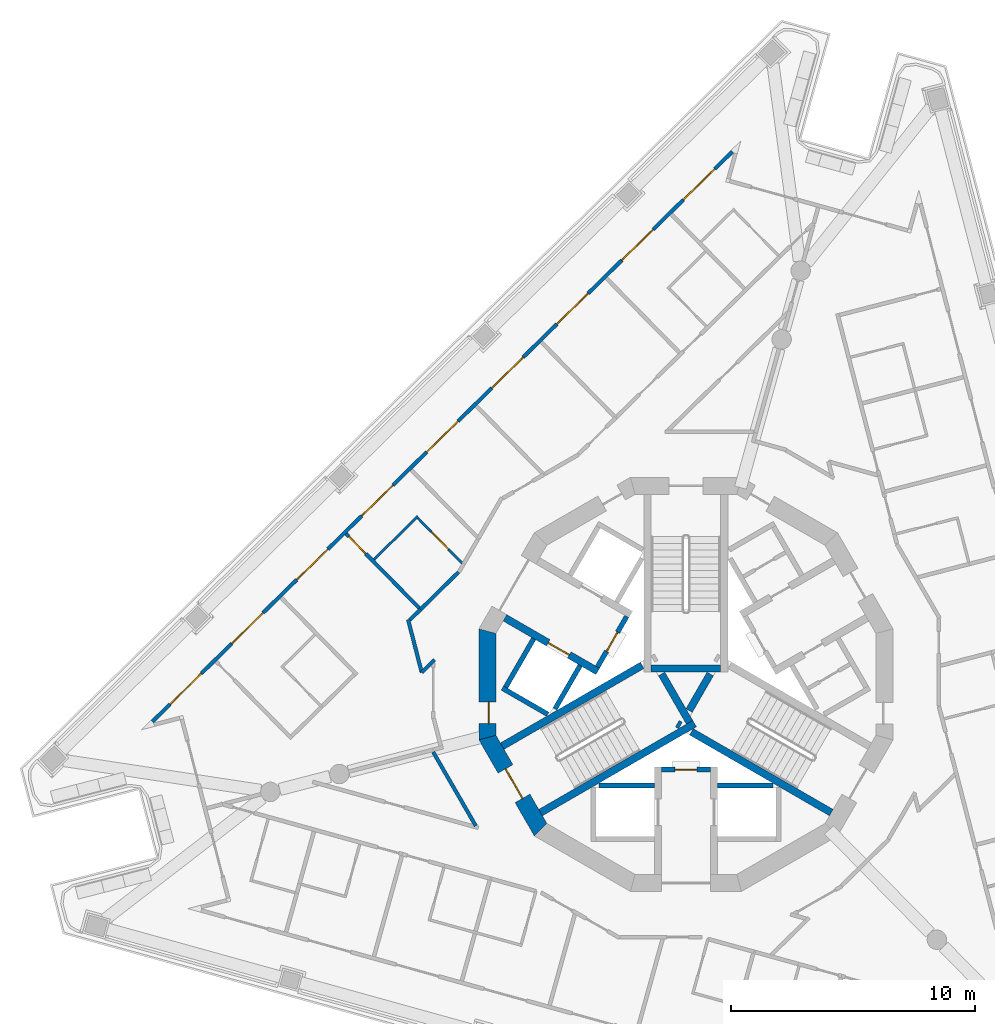
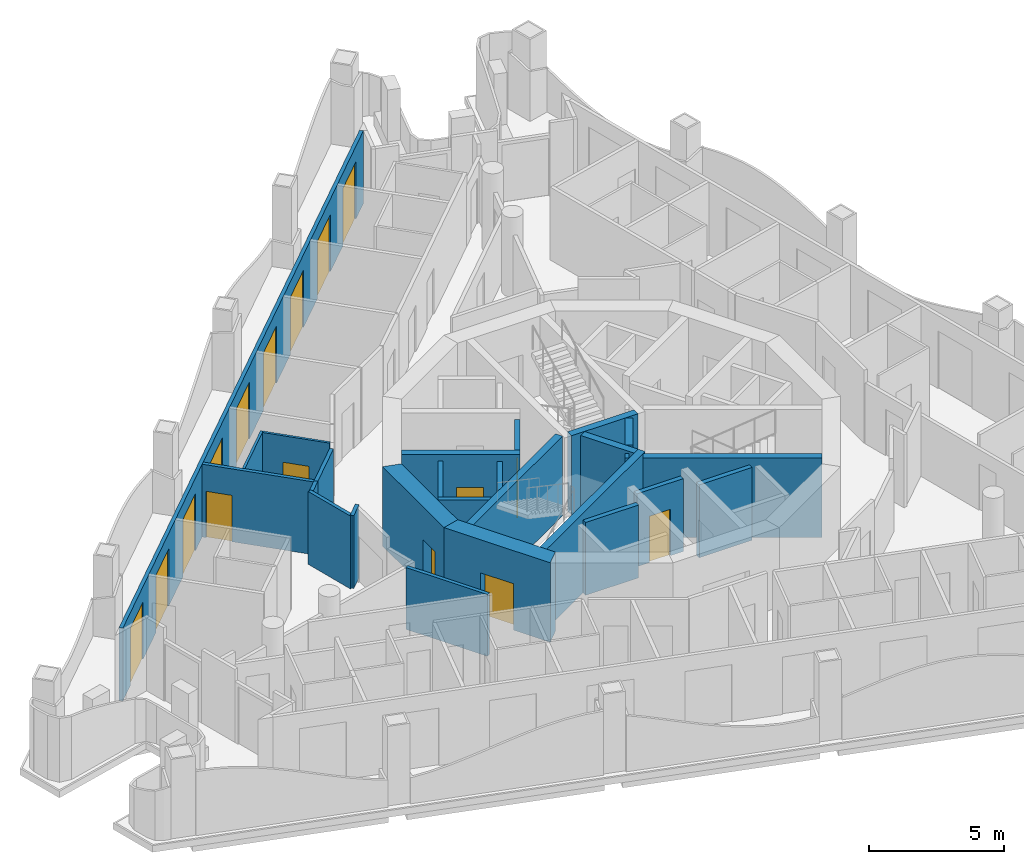
# One storey, part 4 of 15: 26 walls, 16 doors, 16 openings.
"""IFC4 building model written with IfcOpenShell, lengths in metres."""

from ifc_helpers import new_model, si_unit, direction, frame, frame_2d, origin, place, context, subcontext, project, spatial, polyline, rectangle, outline, extrude, material, layer, layer_set, type_object, element, fill, save


model = new_model("IFC4")

# Units and contexts
model_context = context("Model", 3, precision=1e-05, world=origin(), true_north=direction((0.0, 1.0)))
body_context = subcontext(model_context, "Body", "Model", "MODEL_VIEW")
ifc_project = project(units=[si_unit("LENGTHUNIT", "METRE"), si_unit("AREAUNIT", "SQUARE_METRE"), si_unit("VOLUMEUNIT", "CUBIC_METRE"), si_unit("PLANEANGLEUNIT", "RADIAN"), si_unit("MASSUNIT", "GRAM", prefix="KILO")], contexts=[model_context])

# Site, building, storey
site_placement = place(None, origin())
site = spatial("IfcSite", under=ifc_project, at=site_placement, CompositionType="ELEMENT")
building_placement = place(site_placement, origin())
building = spatial("IfcBuilding", under=site, at=building_placement, Name="Trine Commons Tower", CompositionType="ELEMENT")
storey_placement = place(building_placement, frame((0.0, 0.0, 256.5)))
storey = spatial("IfcBuildingStorey", under=building, at=storey_placement, Name="L67", CompositionType="ELEMENT", Elevation=256.5)

# Wall, openings, doors
ifc_material_1 = material(Name="Aluminium-framed insulated wall panel", Category="aluminium")
ifc_layer_1 = layer(ifc_material_1, 0.14990234375)
ifc_layer_set_1 = layer_set([ifc_layer_1], Name="Aluminium-framed insulated wall panel")
wall_type_1 = type_object("IfcWallType", Name="Glazed frame wall 150, EI 60", PredefinedType="SOLIDWALL", material=ifc_layer_set_1)
wall_1_placement = place(storey_placement, frame((57.98974609375, 60.867431640625, 0.0), z_axis=(0.0, 0.0, 1.0), x_axis=(0.713254682671, 0.700904956216, 0.0)))
wall_1 = element("IfcWall", 1, at=wall_1_placement, inside=storey, type_object=wall_type_1, Name="Glazed frame wall F1", PredefinedType="SOLIDWALL", context=body_context, shape_type="SweptSolid", body=[
    extrude(outline(polyline([(0.1494140625, 0.074951171875), (0.1494140625, -0.074951171875), (33.536865234375, -0.074951171875), (33.536865234375, 0.074951171875), (0.1494140625, 0.074951171875)])), origin(), (0.0, 0.0, 1.0), 3.300048828125),
])
opening_1_placement = place(wall_1_placement, frame((1.17138671875, 0.0, 0.0)))
opening_1 = element("IfcOpeningElement", 2, at=opening_1_placement, cuts=wall_1, Name="Opening BD-7F1-01", PredefinedType="OPENING", context=body_context, shape_type="SweptSolid", body=[
    extrude(rectangle(XDim=1.800048828125, YDim=2.60009765625, at=frame_2d((0.89990234375, 1.300048828125))), frame((0.0, 0.0849609375, 0.0), z_axis=(0.0, -1.0, 0.0), x_axis=(1.0, 0.0, 0.0)), (0.0, 0.0, 1.0), 0.169921875),
])
opening_2_placement = place(wall_1_placement, frame((4.71435546875, 0.0, 0.0)))
opening_2 = element("IfcOpeningElement", 3, at=opening_2_placement, cuts=wall_1, Name="Opening BD-7F1-02", PredefinedType="OPENING", context=body_context, shape_type="SweptSolid", body=[
    extrude(rectangle(XDim=1.800048828125, YDim=2.60009765625, at=frame_2d((0.89990234375, 1.300048828125))), frame((0.0, 0.0849609375, 0.0), z_axis=(0.0, -1.0, 0.0), x_axis=(1.0, 0.0, 0.0)), (0.0, 0.0, 1.0), 0.169921875),
])
opening_3_placement = place(wall_1_placement, frame((8.457275390625, 0.0, 0.0)))
opening_3 = element("IfcOpeningElement", 4, at=opening_3_placement, cuts=wall_1, Name="Opening BD-7F1-03", PredefinedType="OPENING", context=body_context, shape_type="SweptSolid", body=[
    extrude(rectangle(XDim=1.800048828125, YDim=2.60009765625, at=frame_2d((0.89990234375, 1.300048828125))), frame((0.0, 0.0849609375, 0.0), z_axis=(0.0, -1.0, 0.0), x_axis=(1.0, 0.0, 0.0)), (0.0, 0.0, 1.0), 0.169921875),
])
opening_4_placement = place(wall_1_placement, frame((12.2001953125, 0.0, 0.0)))
opening_4 = element("IfcOpeningElement", 5, at=opening_4_placement, cuts=wall_1, Name="Opening BD-7F1-04", PredefinedType="OPENING", context=body_context, shape_type="SweptSolid", body=[
    extrude(rectangle(XDim=1.800048828125, YDim=2.60009765625, at=frame_2d((0.89990234375, 1.300048828125))), frame((0.0, 0.0849609375, 0.0), z_axis=(0.0, -1.0, 0.0), x_axis=(1.0, 0.0, 0.0)), (0.0, 0.0, 1.0), 0.169921875),
])
opening_5_placement = place(wall_1_placement, frame((15.943115234375, 0.0, 0.0)))
opening_5 = element("IfcOpeningElement", 6, at=opening_5_placement, cuts=wall_1, Name="Opening BD-7F1-05", PredefinedType="OPENING", context=body_context, shape_type="SweptSolid", body=[
    extrude(rectangle(XDim=1.800048828125, YDim=2.60009765625, at=frame_2d((0.89990234375, 1.300048828125))), frame((0.0, 0.0849609375, 0.0), z_axis=(0.0, -1.0, 0.0), x_axis=(1.0, 0.0, 0.0)), (0.0, 0.0, 1.0), 0.169921875),
])
opening_6_placement = place(wall_1_placement, frame((19.68603515625, 0.0, 0.0)))
opening_6 = element("IfcOpeningElement", 7, at=opening_6_placement, cuts=wall_1, Name="Opening BD-7F1-06", PredefinedType="OPENING", context=body_context, shape_type="SweptSolid", body=[
    extrude(rectangle(XDim=1.800048828125, YDim=2.60009765625, at=frame_2d((0.89990234375, 1.300048828125))), frame((0.0, 0.0849609375, 0.0), z_axis=(0.0, -1.0, 0.0), x_axis=(1.0, 0.0, 0.0)), (0.0, 0.0, 1.0), 0.169921875),
])
opening_7_placement = place(wall_1_placement, frame((23.428955078125, 0.0, 0.0)))
opening_7 = element("IfcOpeningElement", 8, at=opening_7_placement, cuts=wall_1, Name="Opening BD-7F1-07", PredefinedType="OPENING", context=body_context, shape_type="SweptSolid", body=[
    extrude(rectangle(XDim=1.800048828125, YDim=2.60009765625, at=frame_2d((0.89990234375, 1.300048828125))), frame((0.0, 0.0849609375, 0.0), z_axis=(0.0, -1.0, 0.0), x_axis=(1.0, 0.0, 0.0)), (0.0, 0.0, 1.0), 0.169921875),
])
opening_8_placement = place(wall_1_placement, frame((27.171875, 0.0, 0.0)))
opening_8 = element("IfcOpeningElement", 9, at=opening_8_placement, cuts=wall_1, Name="Opening BD-7F1-08", PredefinedType="OPENING", context=body_context, shape_type="SweptSolid", body=[
    extrude(rectangle(XDim=1.800048828125, YDim=2.60009765625, at=frame_2d((0.89990234375, 1.300048828125))), frame((0.0, 0.0849609375, 0.0), z_axis=(0.0, -1.0, 0.0), x_axis=(1.0, 0.0, 0.0)), (0.0, 0.0, 1.0), 0.169921875),
])
opening_9_placement = place(wall_1_placement, frame((30.714599609375, 0.0, 0.0)))
opening_9 = element("IfcOpeningElement", 10, at=opening_9_placement, cuts=wall_1, Name="Opening BD-7F1-09", PredefinedType="OPENING", context=body_context, shape_type="SweptSolid", body=[
    extrude(rectangle(XDim=1.800048828125, YDim=2.60009765625, at=frame_2d((0.89990234375, 1.300048828125))), frame((0.0, 0.0849609375, 0.0), z_axis=(0.0, -1.0, 0.0), x_axis=(1.0, 0.0, 0.0)), (0.0, 0.0, 1.0), 0.169921875),
])
ifc_material_2 = material(Name="Anodised aluminium frame with double glazing", Category="aluminium")
door_type_1 = type_object("IfcDoorType", Name="Sliding loggia door 1800x2600", OperationType="SLIDING_TO_LEFT", PredefinedType="DOOR", material=ifc_material_2)
door_1_placement = place(opening_1_placement, origin())
door_1 = element("IfcDoor", 11, at=door_1_placement, inside=storey, type_object=door_type_1, Name="Loggia door F1 1", OperationType="SLIDING_TO_LEFT", OverallHeight=2.60009765625, OverallWidth=1.800048828125, PredefinedType="DOOR", context=body_context, shape_type="SweptSolid", body=[
    extrude(rectangle(XDim=1.800048828125, YDim=2.60009765625, at=frame_2d((0.89990234375, 1.300048828125))), frame((0.0, 0.02490234375, 0.0), z_axis=(0.0, -1.0, 0.0), x_axis=(1.0, 0.0, 0.0)), (0.0, 0.0, 1.0), 0.050048828125),
])
fill(opening_1, door_1)
door_2_placement = place(opening_2_placement, origin())
door_2 = element("IfcDoor", 12, at=door_2_placement, inside=storey, type_object=door_type_1, Name="Loggia door F1 2", OperationType="SLIDING_TO_LEFT", OverallHeight=2.60009765625, OverallWidth=1.800048828125, PredefinedType="DOOR", context=body_context, shape_type="SweptSolid", body=[
    extrude(rectangle(XDim=1.800048828125, YDim=2.60009765625, at=frame_2d((0.89990234375, 1.300048828125))), frame((0.0, 0.02490234375, 0.0), z_axis=(0.0, -1.0, 0.0), x_axis=(1.0, 0.0, 0.0)), (0.0, 0.0, 1.0), 0.050048828125),
])
fill(opening_2, door_2)
door_3_placement = place(opening_3_placement, origin())
door_3 = element("IfcDoor", 13, at=door_3_placement, inside=storey, type_object=door_type_1, Name="Loggia door F1 3", OperationType="SLIDING_TO_LEFT", OverallHeight=2.60009765625, OverallWidth=1.800048828125, PredefinedType="DOOR", context=body_context, shape_type="SweptSolid", body=[
    extrude(rectangle(XDim=1.800048828125, YDim=2.60009765625, at=frame_2d((0.89990234375, 1.300048828125))), frame((0.0, 0.02490234375, 0.0), z_axis=(0.0, -1.0, 0.0), x_axis=(1.0, 0.0, 0.0)), (0.0, 0.0, 1.0), 0.050048828125),
])
fill(opening_3, door_3)
door_4_placement = place(opening_4_placement, origin())
door_4 = element("IfcDoor", 14, at=door_4_placement, inside=storey, type_object=door_type_1, Name="Loggia door F1 4", OperationType="SLIDING_TO_LEFT", OverallHeight=2.60009765625, OverallWidth=1.800048828125, PredefinedType="DOOR", context=body_context, shape_type="SweptSolid", body=[
    extrude(rectangle(XDim=1.800048828125, YDim=2.60009765625, at=frame_2d((0.89990234375, 1.300048828125))), frame((0.0, 0.02490234375, 0.0), z_axis=(0.0, -1.0, 0.0), x_axis=(1.0, 0.0, 0.0)), (0.0, 0.0, 1.0), 0.050048828125),
])
fill(opening_4, door_4)
door_5_placement = place(opening_5_placement, origin())
door_5 = element("IfcDoor", 15, at=door_5_placement, inside=storey, type_object=door_type_1, Name="Loggia door F1 5", OperationType="SLIDING_TO_LEFT", OverallHeight=2.60009765625, OverallWidth=1.800048828125, PredefinedType="DOOR", context=body_context, shape_type="SweptSolid", body=[
    extrude(rectangle(XDim=1.800048828125, YDim=2.60009765625, at=frame_2d((0.89990234375, 1.300048828125))), frame((0.0, 0.02490234375, 0.0), z_axis=(0.0, -1.0, 0.0), x_axis=(1.0, 0.0, 0.0)), (0.0, 0.0, 1.0), 0.050048828125),
])
fill(opening_5, door_5)
door_6_placement = place(opening_6_placement, origin())
door_6 = element("IfcDoor", 16, at=door_6_placement, inside=storey, type_object=door_type_1, Name="Loggia door F1 6", OperationType="SLIDING_TO_LEFT", OverallHeight=2.60009765625, OverallWidth=1.800048828125, PredefinedType="DOOR", context=body_context, shape_type="SweptSolid", body=[
    extrude(rectangle(XDim=1.800048828125, YDim=2.60009765625, at=frame_2d((0.89990234375, 1.300048828125))), frame((0.0, 0.02490234375, 0.0), z_axis=(0.0, -1.0, 0.0), x_axis=(1.0, 0.0, 0.0)), (0.0, 0.0, 1.0), 0.050048828125),
])
fill(opening_6, door_6)
door_7_placement = place(opening_7_placement, origin())
door_7 = element("IfcDoor", 17, at=door_7_placement, inside=storey, type_object=door_type_1, Name="Loggia door F1 7", OperationType="SLIDING_TO_LEFT", OverallHeight=2.60009765625, OverallWidth=1.800048828125, PredefinedType="DOOR", context=body_context, shape_type="SweptSolid", body=[
    extrude(rectangle(XDim=1.800048828125, YDim=2.60009765625, at=frame_2d((0.89990234375, 1.300048828125))), frame((0.0, 0.02490234375, 0.0), z_axis=(0.0, -1.0, 0.0), x_axis=(1.0, 0.0, 0.0)), (0.0, 0.0, 1.0), 0.050048828125),
])
fill(opening_7, door_7)
door_8_placement = place(opening_8_placement, origin())
door_8 = element("IfcDoor", 18, at=door_8_placement, inside=storey, type_object=door_type_1, Name="Loggia door F1 8", OperationType="SLIDING_TO_LEFT", OverallHeight=2.60009765625, OverallWidth=1.800048828125, PredefinedType="DOOR", context=body_context, shape_type="SweptSolid", body=[
    extrude(rectangle(XDim=1.800048828125, YDim=2.60009765625, at=frame_2d((0.89990234375, 1.300048828125))), frame((0.0, 0.02490234375, 0.0), z_axis=(0.0, -1.0, 0.0), x_axis=(1.0, 0.0, 0.0)), (0.0, 0.0, 1.0), 0.050048828125),
])
fill(opening_8, door_8)
door_9_placement = place(opening_9_placement, origin())
door_9 = element("IfcDoor", 19, at=door_9_placement, inside=storey, type_object=door_type_1, Name="Loggia door F1 9", OperationType="SLIDING_TO_LEFT", OverallHeight=2.60009765625, OverallWidth=1.800048828125, PredefinedType="DOOR", context=body_context, shape_type="SweptSolid", body=[
    extrude(rectangle(XDim=1.800048828125, YDim=2.60009765625, at=frame_2d((0.89990234375, 1.300048828125))), frame((0.0, 0.02490234375, 0.0), z_axis=(0.0, -1.0, 0.0), x_axis=(1.0, 0.0, 0.0)), (0.0, 0.0, 1.0), 0.050048828125),
])
fill(opening_9, door_9)

# Wall, opening, door
ifc_material_3 = material(Name="Fire-rated gypsum shaft wall system")
ifc_layer_2 = layer(ifc_material_3, 0.199951171875)
ifc_layer_set_2 = layer_set([ifc_layer_2], Name="Fire-rated gypsum shaft wall system")
wall_type_2 = type_object("IfcWallType", Name="Lobby end wall 200 mm, EI 120", PredefinedType="PARTITIONING", material=ifc_layer_set_2)
wall_2_placement = place(storey_placement, frame((77.569091796875, 65.2890625, 0.0), z_axis=(0.0, 0.0, 1.0), x_axis=(-0.50012165622, -0.865955154139, 0.0)))
wall_2 = element("IfcWall", 20, at=wall_2_placement, inside=storey, type_object=wall_type_2, Name="Lobby end wall L67", PredefinedType="PARTITIONING", context=body_context, shape_type="SweptSolid", body=[
    extrude(rectangle(XDim=2.39990234375, YDim=0.199951171875, at=frame_2d((1.199951171875, 0.0))), origin(), (0.0, 0.0, 1.0), 3.300048828125),
])
opening_10_placement = place(wall_2_placement, frame((0.749755859375, 0.0, 0.0)))
opening_10 = element("IfcOpeningElement", 21, at=opening_10_placement, cuts=wall_2, Name="Opening K15.07", PredefinedType="OPENING", context=body_context, shape_type="SweptSolid", body=[
    extrude(rectangle(XDim=0.89990234375, YDim=2.10009765625, at=frame_2d((0.449951171875, 1.050048828125))), frame((0.0, 0.10986328125, 0.0), z_axis=(0.0, -1.0, 0.0), x_axis=(1.0, 0.0, 0.0)), (0.0, 0.0, 1.0), 0.219970703125),
])
ifc_material_4 = material(Name="Steel door leaf, fire-rated", Category="steel")
door_type_2 = type_object("IfcDoorType", Name="Riser access door, single leaf 900 x 2100, FD60", OperationType="SINGLE_SWING_LEFT", PredefinedType="DOOR", material=ifc_material_4)
door_10_placement = place(opening_10_placement, frame((0.89990234375, 0.0, 0.0), z_axis=(0.0, 0.0, 1.0), x_axis=(-1.0, 0.0, 0.0)))
door_10 = element("IfcDoor", 22, at=door_10_placement, inside=storey, type_object=door_type_2, Name="Riser door, Mechanical riser L67", OperationType="SINGLE_SWING_RIGHT", OverallHeight=2.10009765625, OverallWidth=0.89990234375, PredefinedType="DOOR", context=body_context, shape_type="SweptSolid", body=[
    extrude(rectangle(XDim=0.89990234375, YDim=2.10009765625, at=frame_2d((0.449951171875, 1.050048828125))), frame((0.0, 0.02490234375, 0.0), z_axis=(0.0, -1.0, 0.0), x_axis=(1.0, 0.0, 0.0)), (0.0, 0.0, 1.0), 0.050048828125),
])
fill(opening_10, door_10)

wall_3_placement = place(storey_placement, frame((79.0, 59.0, 0.0), z_axis=(0.0, 0.0, 1.0), x_axis=(1.0, 0.0, 0.0)))
wall_3 = element("IfcWall", 23, at=wall_3_placement, inside=storey, type_object=wall_type_2, Name="Lobby end wall L67", PredefinedType="PARTITIONING", context=body_context, shape_type="SweptSolid", body=[
    extrude(rectangle(XDim=2.0, YDim=0.199951171875, at=frame_2d((1.0, 0.0))), origin(), (0.0, 0.0, 1.0), 3.300048828125),
])
opening_11_placement = place(wall_3_placement, frame((0.550048828125, 0.0, 0.0)))
opening_11 = element("IfcOpeningElement", 24, at=opening_11_placement, cuts=wall_3, Name="Opening K15.09", PredefinedType="OPENING", context=body_context, shape_type="SweptSolid", body=[
    extrude(rectangle(XDim=0.89990234375, YDim=2.10009765625, at=frame_2d((0.449951171875, 1.050048828125))), frame((0.0, 0.10986328125, 0.0), z_axis=(0.0, -1.0, 0.0), x_axis=(1.0, 0.0, 0.0)), (0.0, 0.0, 1.0), 0.219970703125),
])
door_11_placement = place(opening_11_placement, frame((0.89990234375, 0.0, 0.0), z_axis=(0.0, 0.0, 1.0), x_axis=(-1.0, 0.0, 0.0)))
door_11 = element("IfcDoor", 25, at=door_11_placement, inside=storey, type_object=door_type_2, Name="Riser door, Communications riser L67", OperationType="SINGLE_SWING_RIGHT", OverallHeight=2.10009765625, OverallWidth=0.89990234375, PredefinedType="DOOR", context=body_context, shape_type="SweptSolid", body=[
    extrude(rectangle(XDim=0.89990234375, YDim=2.10009765625, at=frame_2d((0.449951171875, 1.050048828125))), frame((0.0, 0.02490234375, 0.0), z_axis=(0.0, -1.0, 0.0), x_axis=(1.0, 0.0, 0.0)), (0.0, 0.0, 1.0), 0.050048828125),
])
fill(opening_11, door_11)

ifc_material_5 = material(Name="Concrete C50/60", Category="concrete")
ifc_layer_3 = layer(ifc_material_5, 0.300048828125)
ifc_layer_set_3 = layer_set([ifc_layer_3], Name="Concrete C50/60")
wall_type_3 = type_object("IfcWallType", Name="RC shear wall 300 mm, C50/60", PredefinedType="SHEAR", material=ifc_layer_set_3)
wall_4_placement = place(storey_placement, frame((76.381103515625, 63.031005859375, 0.0), z_axis=(0.0, 0.0, 1.0), x_axis=(-0.866059941101, 0.499940174841, 0.0)))
wall_4 = element("IfcWall", 26, at=wall_4_placement, inside=storey, type_object=wall_type_3, Name="Core cross wall SWC-01 L67", PredefinedType="SHEAR", context=body_context, shape_type="SweptSolid", body=[
    extrude(rectangle(XDim=4.400390625, YDim=0.300048828125, at=frame_2d((2.2001953125, 0.0))), origin(), (0.0, 0.0, 1.0), 3.60009765625),
])
opening_12_placement = place(wall_4_placement, frame((1.350341796875, 0.0, 0.0)))
opening_12 = element("IfcOpeningElement", 27, at=opening_12_placement, cuts=wall_4, Name="Opening LD7", PredefinedType="OPENING", context=body_context, shape_type="SweptSolid", body=[
    extrude(rectangle(XDim=1.0, YDim=2.10009765625, at=frame_2d((0.5, 1.050048828125))), frame((0.0, 0.159912109375, 0.0), z_axis=(0.0, -1.0, 0.0), x_axis=(1.0, 0.0, 0.0)), (0.0, 0.0, 1.0), 0.320068359375),
])
ifc_material_6 = material(Name="Stainless steel sliding door leaves", Category="steel")
door_type_3 = type_object("IfcDoorType", Name="Lift landing door, centre-opening sliding 1000 x 2100, FD90", OperationType="DOUBLE_DOOR_SLIDING", PredefinedType="DOOR", material=ifc_material_6)
door_12_placement = place(opening_12_placement, origin())
door_12 = element("IfcDoor", 28, at=door_12_placement, inside=storey, type_object=door_type_3, Name="Lift landing door HR3 L67", OperationType="DOUBLE_DOOR_SLIDING", OverallHeight=2.10009765625, OverallWidth=1.0, PredefinedType="DOOR", context=body_context, shape_type="SweptSolid", body=[
    extrude(rectangle(XDim=1.0, YDim=2.10009765625, at=frame_2d((0.5, 1.050048828125))), frame((0.0, 0.02490234375, 0.0), z_axis=(0.0, -1.0, 0.0), x_axis=(1.0, 0.0, 0.0)), (0.0, 0.0, 1.0), 0.050048828125),
])
fill(opening_12, door_12)

# Walls
wall_5_placement = place(storey_placement, frame((78.199951171875, 63.280029296875, 0.0), z_axis=(0.0, 0.0, 1.0), x_axis=(-0.866009627307, -0.500027324665, 0.0)))
element("IfcWall", 29, at=wall_5_placement, inside=storey, type_object=wall_type_3, Name="Core cross wall SWC-07 L67", PredefinedType="SHEAR", context=body_context, shape_type="SweptSolid", body=[
    extrude(rectangle(XDim=6.631591796875, YDim=0.300048828125, at=frame_2d((3.31591796875, 0.0))), origin(), (0.0, 0.0, 1.0), 3.60009765625),
])
wall_6_placement = place(storey_placement, frame((79.0029296875, 62.926025390625, 0.0), z_axis=(0.0, 0.0, 1.0), x_axis=(0.499965247104, -0.866045467449, 0.0)))
element("IfcWall", 30, at=wall_6_placement, inside=storey, type_object=wall_type_3, Name="Core cross wall SWC-10 L67", PredefinedType="SHEAR", context=body_context, shape_type="SweptSolid", body=[
    extrude(rectangle(XDim=2.292236328125, YDim=0.300048828125, at=frame_2d((1.14599609375, 0.0))), origin(), (0.0, 0.0, 1.0), 3.60009765625),
])
wall_7_placement = place(storey_placement, frame((79.64599609375, 60.885986328125, 0.0), z_axis=(0.0, 0.0, 1.0), x_axis=(0.867331893649, -0.497730234424, 0.0)))
element("IfcWall", 31, at=wall_7_placement, inside=storey, type_object=wall_type_3, Name="Core cross wall SWC-11 L67", PredefinedType="SHEAR", context=body_context, shape_type="SweptSolid", body=[
    extrude(rectangle(XDim=0.148681640625, YDim=0.300048828125, at=frame_2d((0.07421875, 0.0))), origin(), (0.0, 0.0, 1.0), 3.60009765625),
])
wall_8_placement = place(storey_placement, frame((80.1298828125, 61.424072265625, 0.0), z_axis=(0.0, 0.0, 1.0), x_axis=(0.500014901547, 0.866016800201, 0.0)))
element("IfcWall", 32, at=wall_8_placement, inside=storey, type_object=wall_type_3, Name="Core cross wall SWC-12 L67", PredefinedType="SHEAR", context=body_context, shape_type="SweptSolid", body=[
    extrude(rectangle(XDim=1.734375, YDim=0.300048828125, at=frame_2d((0.8671875, 0.0))), origin(), (0.0, 0.0, 1.0), 3.60009765625),
])
wall_9_placement = place(storey_placement, frame((80.22509765625, 60.552001953125, 0.0), z_axis=(0.0, 0.0, 1.0), x_axis=(0.866009627307, -0.500027324665, 0.0)))
element("IfcWall", 33, at=wall_9_placement, inside=storey, type_object=wall_type_3, Name="Core cross wall SWC-13 L67", PredefinedType="SHEAR", context=body_context, shape_type="SweptSolid", body=[
    extrude(rectangle(XDim=6.631591796875, YDim=0.300048828125, at=frame_2d((3.31591796875, 0.0))), origin(), (0.0, 0.0, 1.0), 3.60009765625),
])
wall_10_placement = place(storey_placement, frame((80.35400390625, 60.885986328125, 0.0), z_axis=(0.0, 0.0, 1.0), x_axis=(-0.866032430508, -0.49998782916, 0.0)))
element("IfcWall", 34, at=wall_10_placement, inside=storey, type_object=wall_type_3, Name="Core cross wall SWC-14 L67", PredefinedType="SHEAR", context=body_context, shape_type="SweptSolid", body=[
    extrude(rectangle(XDim=7.300048828125, YDim=0.300048828125, at=frame_2d((3.64990234375, 0.0))), origin(), (0.0, 0.0, 1.0), 3.60009765625),
])
wall_11_placement = place(storey_placement, frame((81.425048828125, 63.15087890625, 0.0), z_axis=(0.0, 0.0, 1.0), x_axis=(-1.0, 0.0, 0.0)))
element("IfcWall", 35, at=wall_11_placement, inside=storey, type_object=wall_type_3, Name="Core cross wall SWC-16 L67", PredefinedType="SHEAR", context=body_context, shape_type="SweptSolid", body=[
    extrude(rectangle(XDim=2.85009765625, YDim=0.300048828125, at=frame_2d((1.425048828125, 0.0))), origin(), (0.0, 0.0, 1.0), 3.60009765625),
])

# Wall, opening, door
ifc_layer_4 = layer(ifc_material_5, 0.699951171875)
ifc_layer_set_4 = layer_set([ifc_layer_4], Name="Concrete C50/60")
wall_type_4 = type_object("IfcWallType", Name="RC shear wall 700 mm, C50/60", PredefinedType="SHEAR", material=ifc_layer_set_4)
wall_12_placement = place(storey_placement, frame((71.849853515625, 64.777587890625, 0.0), z_axis=(0.0, 0.0, 1.0), x_axis=(0.0, -1.0, 0.0)))
wall_12 = element("IfcWall", 36, at=wall_12_placement, inside=storey, type_object=wall_type_4, Name="Core wall CWG-07 L67", PredefinedType="SHEAR", context=body_context, shape_type="SweptSolid", body=[
    extrude(outline(polyline([(0.0, -0.35009765625), (4.55517578125, -0.35009765625), (4.36767578125, 0.35009765625), (0.1875, 0.35009765625), (0.0, -0.35009765625)])), origin(), (0.0, 0.0, 1.0), 3.60009765625),
])
opening_13_placement = place(wall_12_placement, frame((2.99169921875, 0.0, 0.0)))
opening_13 = element("IfcOpeningElement", 37, at=opening_13_placement, cuts=wall_12, Name="Opening K15.16", PredefinedType="OPENING", context=body_context, shape_type="SweptSolid", body=[
    extrude(rectangle(XDim=0.89990234375, YDim=2.10009765625, at=frame_2d((0.449951171875, 1.050048828125))), frame((0.0, 0.35986328125, 0.0), z_axis=(0.0, -1.0, 0.0), x_axis=(1.0, 0.0, 0.0)), (0.0, 0.0, 1.0), 0.719970703125),
])
door_type_4 = type_object("IfcDoorType", Name="Core room door, single leaf 900 x 2100, FD30S", OperationType="SINGLE_SWING_LEFT", PredefinedType="DOOR", material=ifc_material_4)
door_13_placement = place(opening_13_placement, origin())
door_13 = element("IfcDoor", 38, at=door_13_placement, inside=storey, type_object=door_type_4, Name="Door to Pantry L67", OperationType="SINGLE_SWING_RIGHT", OverallHeight=2.10009765625, OverallWidth=0.89990234375, PredefinedType="DOOR", context=body_context, shape_type="SweptSolid", body=[
    extrude(rectangle(XDim=0.89990234375, YDim=2.10009765625, at=frame_2d((0.449951171875, 1.050048828125))), frame((0.0, 0.0751953125, 0.0), z_axis=(0.0, -1.0, 0.0), x_axis=(1.0, 0.0, 0.0)), (0.0, 0.0, 1.0), 0.050048828125),
])
fill(opening_13, door_13)

wall_13_placement = place(storey_placement, frame((71.802978515625, 60.3974609375, 0.0), z_axis=(0.0, 0.0, 1.0), x_axis=(0.499983800959, -0.866034756103, 0.0)))
wall_13 = element("IfcWall", 39, at=wall_13_placement, inside=storey, type_object=wall_type_4, Name="Core wall CWG-08 L67", PredefinedType="SHEAR", context=body_context, shape_type="SweptSolid", body=[
    extrude(outline(polyline([(0.0, -0.35009765625), (4.55517578125, -0.35009765625), (4.36767578125, 0.35009765625), (0.1875, 0.35009765625), (0.0, -0.35009765625)])), origin(), (0.0, 0.0, 1.0), 3.60009765625),
])
opening_14_placement = place(wall_13_placement, frame((1.577392578125, 0.0, 0.0)))
opening_14 = element("IfcOpeningElement", 40, at=opening_14_placement, cuts=wall_13, Name="Opening K15.02", PredefinedType="OPENING", context=body_context, shape_type="SweptSolid", body=[
    extrude(rectangle(XDim=1.39990234375, YDim=2.10009765625, at=frame_2d((0.699951171875, 1.050048828125))), frame((0.0, 0.35986328125, 0.0), z_axis=(0.0, -1.0, 0.0), x_axis=(1.0, 0.0, 0.0)), (0.0, 0.0, 1.0), 0.719970703125),
])
ifc_material_7 = material(Name="Steel door leaves, fire-rated", Category="steel")
door_type_5 = type_object("IfcDoorType", Name="Stair door, double leaf 1400 x 2100, FD90", OperationType="DOUBLE_DOOR_SINGLE_SWING", PredefinedType="DOOR", material=ifc_material_7)
door_14_placement = place(opening_14_placement, origin())
door_14 = element("IfcDoor", 41, at=door_14_placement, inside=storey, type_object=door_type_5, Name="Stair door to Exit stair ST2C L67", OperationType="DOUBLE_DOOR_SINGLE_SWING", OverallHeight=2.10009765625, OverallWidth=1.39990234375, PredefinedType="DOOR", context=body_context, shape_type="SweptSolid", body=[
    extrude(rectangle(XDim=1.39990234375, YDim=2.10009765625, at=frame_2d((0.699951171875, 1.050048828125))), frame((0.0, 0.02490234375, 0.0), z_axis=(0.0, -1.0, 0.0), x_axis=(1.0, 0.0, 0.0)), (0.0, 0.0, 1.0), 0.050048828125),
])
fill(opening_14, door_14)

# Walls
ifc_layer_5 = layer(ifc_material_3, 0.199951171875)
ifc_layer_set_5 = layer_set([ifc_layer_5], Name="Fire-rated gypsum shaft wall system")
wall_type_5 = type_object("IfcWallType", Name="Shaft wall 200 mm, EI 120", PredefinedType="PARTITIONING", material=ifc_layer_set_5)
wall_14_placement = place(storey_placement, frame((73.7509765625, 64.3759765625, 0.0), z_axis=(0.0, 0.0, 1.0), x_axis=(-0.500136062276, -0.86594683394, 0.0)))
element("IfcWall", 42, at=wall_14_placement, inside=storey, type_object=wall_type_5, Name="Shaft wall L67", PredefinedType="PARTITIONING", context=body_context, shape_type="SweptSolid", body=[
    extrude(rectangle(XDim=2.299072265625, YDim=0.199951171875, at=frame_2d((1.1494140625, 0.0))), origin(), (0.0, 0.0, 1.0), 3.300048828125),
])
wall_15_placement = place(storey_placement, frame((74.324951171875, 61.27392578125, 0.0), z_axis=(0.0, 0.0, 1.0), x_axis=(-0.866102336459, 0.499866725018, 0.0)))
element("IfcWall", 43, at=wall_15_placement, inside=storey, type_object=wall_type_5, Name="Shaft wall L67", PredefinedType="PARTITIONING", context=body_context, shape_type="SweptSolid", body=[
    extrude(rectangle(XDim=2.1484375, YDim=0.199951171875, at=frame_2d((1.07421875, 0.0))), origin(), (0.0, 0.0, 1.0), 3.300048828125),
])
wall_16_placement = place(storey_placement, frame((75.656005859375, 63.27587890625, 0.0), z_axis=(0.0, 0.0, 1.0), x_axis=(-0.500271688072, -0.86586848777, 0.0)))
element("IfcWall", 44, at=wall_16_placement, inside=storey, type_object=wall_type_5, Name="Shaft wall L67", PredefinedType="PARTITIONING", context=body_context, shape_type="SweptSolid", body=[
    extrude(rectangle(XDim=2.064697265625, YDim=0.199951171875, at=frame_2d((1.0322265625, 0.0))), origin(), (0.0, 0.0, 1.0), 3.300048828125),
])
for number, where, z_axis, x_axis, name in (
    (45, (78.699951171875, 58.35009765625, 0.0), (0.0, 0.0, 1.0), (-1.0, 0.0, 0.0), "Shaft wall L67"),
    (46, (81.300048828125, 58.35009765625, 0.0), (0.0, 0.0, 1.0), (1.0, 0.0, 0.0), "Shaft wall L67"),
):
    element("IfcWall", number, at=place(storey_placement, frame(where, z_axis=z_axis, x_axis=x_axis)), inside=storey, type_object=wall_type_5, Name=name, PredefinedType="PARTITIONING", context=body_context, shape_type="SweptSolid", body=[
        extrude(rectangle(XDim=2.264892578125, YDim=0.199951171875, at=frame_2d((1.13232421875, 0.0))), origin(), (0.0, 0.0, 1.0), 3.300048828125),
    ])

# Wall, opening, door
ifc_material_8 = material(Name="Gypsum plasterboard on steel stud", Category="steel")
ifc_layer_6 = layer(ifc_material_8, 0.14990234375)
ifc_layer_set_6 = layer_set([ifc_layer_6], Name="Gypsum plasterboard on steel stud")
wall_type_6 = type_object("IfcWallType", Name="Unit and corridor wall 150 mm, EI 60", PredefinedType="PARTITIONING", material=ifc_layer_set_6)
wall_17_placement = place(storey_placement, frame((66.051025390625, 68.6845703125, 0.0), z_axis=(0.0, 0.0, 1.0), x_axis=(0.700808262034, -0.713349689748, 0.0)))
wall_17 = element("IfcWall", 47, at=wall_17_placement, inside=storey, type_object=wall_type_6, Name="Partition 018", PredefinedType="PARTITIONING", context=body_context, shape_type="SweptSolid", body=[
    extrude(rectangle(XDim=4.360595703125, YDim=0.14990234375, at=frame_2d((2.18017578125, 0.0))), origin(), (0.0, 0.0, 1.0), 3.300048828125),
])
opening_15_placement = place(wall_17_placement, frame((0.14990234375, 0.0, 0.0)))
opening_15 = element("IfcOpeningElement", 48, at=opening_15_placement, cuts=wall_17, Name="Opening D-7C05", PredefinedType="OPENING", context=body_context, shape_type="SweptSolid", body=[
    extrude(rectangle(XDim=1.0, YDim=2.10009765625, at=frame_2d((0.5, 1.050048828125))), frame((0.0, 0.0849609375, 0.0), z_axis=(0.0, -1.0, 0.0), x_axis=(1.0, 0.0, 0.0)), (0.0, 0.0, 1.0), 0.169921875),
])
ifc_material_9 = material(Name="Timber fire door set", Category="wood")
door_type_6 = type_object("IfcDoorType", Name="Bedroom door 1000 x 2100, FD30S", OperationType="NOTDEFINED", PredefinedType="DOOR", material=ifc_material_9)
door_15_placement = place(opening_15_placement, origin())
door_15 = element("IfcDoor", 49, at=door_15_placement, inside=storey, type_object=door_type_6, Name="Door D-7C05", OperationType="SINGLE_SWING_LEFT", OverallHeight=2.10009765625, OverallWidth=1.0, PredefinedType="DOOR", context=body_context, shape_type="SweptSolid", body=[
    extrude(rectangle(XDim=1.0, YDim=2.10009765625, at=frame_2d((0.5, 1.050048828125))), frame((0.0, 0.02490234375, 0.0), z_axis=(0.0, -1.0, 0.0), x_axis=(1.0, 0.0, 0.0)), (0.0, 0.0, 1.0), 0.050048828125),
])
fill(opening_15, door_15)

# Walls
wall_18_placement = place(storey_placement, frame((68.59326171875, 65.16162109375, 0.0), z_axis=(0.0, 0.0, 1.0), x_axis=(0.250243733249, -0.968182872173, 0.0)))
element("IfcWall", 50, at=wall_18_placement, inside=storey, type_object=wall_type_6, Name="Partition 022", PredefinedType="PARTITIONING", context=body_context, shape_type="SweptSolid", body=[
    extrude(rectangle(XDim=2.240966796875, YDim=0.14990234375, at=frame_2d((1.12060546875, 0.0))), origin(), (0.0, 0.0, 1.0), 3.300048828125),
])
wall_19_placement = place(storey_placement, frame((68.66552734375, 65.1435546875, 0.0), z_axis=(0.0, 0.0, 1.0), x_axis=(0.712591016864, 0.701579676648, 0.0)))
element("IfcWall", 51, at=wall_19_placement, inside=storey, type_object=wall_type_6, Name="Partition 023", PredefinedType="PARTITIONING", context=body_context, shape_type="SweptSolid", body=[
    extrude(rectangle(XDim=0.620849609375, YDim=0.14990234375, at=frame_2d((0.310546875, 0.0))), origin(), (0.0, 0.0, 1.0), 3.300048828125),
])
wall_20_placement = place(storey_placement, frame((69.10205078125, 65.572998046875, 0.0), z_axis=(0.0, 0.0, 1.0), x_axis=(0.713007842216, 0.701156057478, 0.0)))
element("IfcWall", 52, at=wall_20_placement, inside=storey, type_object=wall_type_6, Name="Partition 026", PredefinedType="PARTITIONING", context=body_context, shape_type="SweptSolid", body=[
    extrude(rectangle(XDim=2.18359375, YDim=0.14990234375, at=frame_2d((1.091796875, 0.0))), origin(), (0.0, 0.0, 1.0), 3.300048828125),
])
wall_21_placement = place(storey_placement, frame((69.157958984375, 62.991943359375, 0.0), z_axis=(0.0, 0.0, 1.0), x_axis=(0.712433157826, 0.701739977221, 0.0)))
element("IfcWall", 53, at=wall_21_placement, inside=storey, type_object=wall_type_6, Name="Partition 027", PredefinedType="PARTITIONING", context=body_context, shape_type="SweptSolid", body=[
    extrude(rectangle(XDim=0.730712890625, YDim=0.14990234375, at=frame_2d((0.365234375, 0.0))), origin(), (0.0, 0.0, 1.0), 3.300048828125),
])
wall_22_placement = place(storey_placement, frame((69.625, 59.719970703125, 0.0), z_axis=(0.0, 0.0, 1.0), x_axis=(0.50005889006, -0.865991400923, 0.0)))
element("IfcWall", 54, at=wall_22_placement, inside=storey, type_object=wall_type_6, Name="Partition 030", PredefinedType="PARTITIONING", context=body_context, shape_type="SweptSolid", body=[
    extrude(rectangle(XDim=3.49658203125, YDim=0.14990234375, at=frame_2d((1.748291015625, 0.0))), origin(), (0.0, 0.0, 1.0), 2.800048828125),
])
ifc_layer_7 = layer(ifc_material_8, 0.10009765625)
ifc_layer_set_7 = layer_set([ifc_layer_7], Name="Gypsum plasterboard on steel stud")
wall_type_7 = type_object("IfcWallType", Name="Unit partition 100 mm, no rating", PredefinedType="PARTITIONING", material=ifc_layer_set_7)
wall_23_placement = place(storey_placement, frame((67.193603515625, 67.628662109375, 0.0), z_axis=(0.0, 0.0, 1.0), x_axis=(0.713364419001, 0.700793268877, 0.0)))
element("IfcWall", 55, at=wall_23_placement, inside=storey, type_object=wall_type_7, Name="Partition 019", PredefinedType="PARTITIONING", context=body_context, shape_type="SweptSolid", body=[
    extrude(rectangle(XDim=2.524658203125, YDim=0.10009765625, at=frame_2d((1.26220703125, 0.0))), origin(), (0.0, 0.0, 1.0), 3.300048828125),
])

# Wall, opening, door
wall_24_placement = place(storey_placement, frame((68.993896484375, 69.327392578125, 0.0), z_axis=(0.0, 0.0, 1.0), x_axis=(0.700815030045, -0.713343040663, 0.0)))
wall_24 = element("IfcWall", 56, at=wall_24_placement, inside=storey, type_object=wall_type_7, Name="Partition 025", PredefinedType="PARTITIONING", context=body_context, shape_type="SweptSolid", body=[
    extrude(rectangle(XDim=2.591796875, YDim=0.10009765625, at=frame_2d((1.2958984375, 0.0))), origin(), (0.0, 0.0, 1.0), 3.300048828125),
])
opening_16_placement = place(wall_24_placement, frame((0.7958984375, 0.0, 0.0)))
opening_16 = element("IfcOpeningElement", 57, at=opening_16_placement, cuts=wall_24, Name="Opening D-7C30", PredefinedType="OPENING", context=body_context, shape_type="SweptSolid", body=[
    extrude(rectangle(XDim=1.0, YDim=2.10009765625, at=frame_2d((0.5, 1.050048828125))), frame((0.0, 0.06005859375, 0.0), z_axis=(0.0, -1.0, 0.0), x_axis=(1.0, 0.0, 0.0)), (0.0, 0.0, 1.0), 0.1201171875),
])
ifc_material_10 = material(Name="Painted timber", Category="wood")
door_type_7 = type_object("IfcDoorType", Name="Internal door 1000 x 2100, NOT RATED", OperationType="NOTDEFINED", PredefinedType="DOOR", material=ifc_material_10)
door_16_placement = place(opening_16_placement, origin())
door_16 = element("IfcDoor", 58, at=door_16_placement, inside=storey, type_object=door_type_7, Name="Door D-7C30", OperationType="SINGLE_SWING_LEFT", OverallHeight=2.10009765625, OverallWidth=1.0, PredefinedType="DOOR", context=body_context, shape_type="SweptSolid", body=[
    extrude(rectangle(XDim=1.0, YDim=2.10009765625, at=frame_2d((0.5, 1.050048828125))), frame((0.0, 0.02490234375, 0.0), z_axis=(0.0, -1.0, 0.0), x_axis=(1.0, 0.0, 0.0)), (0.0, 0.0, 1.0), 0.050048828125),
])
fill(opening_16, door_16)

save(model, "model.ifc")
